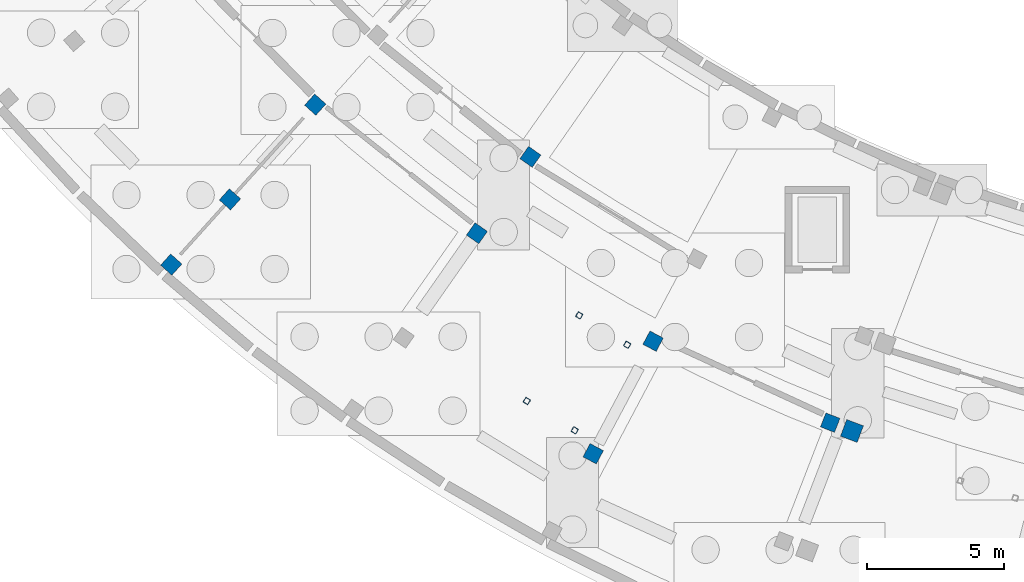
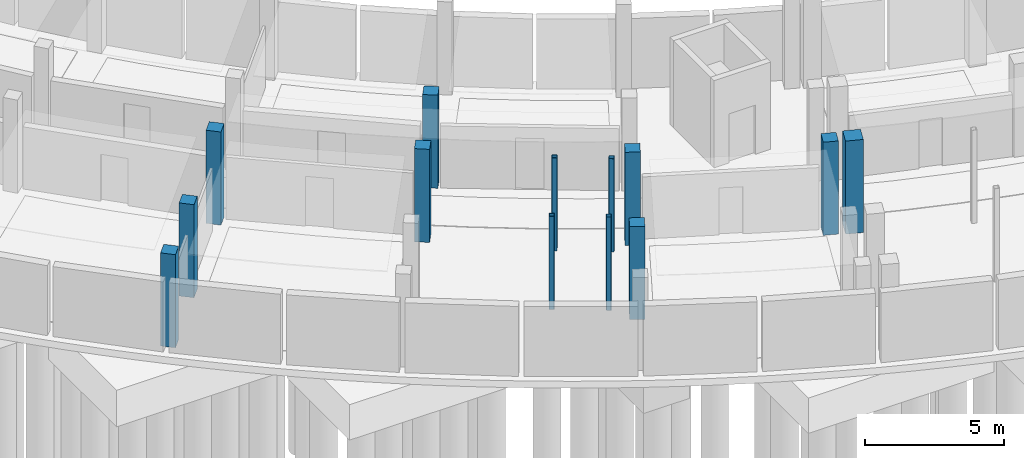
# One storey, part 13 of 58: 13 columns.
"""IFC4 building model written with IfcOpenShell, lengths in metres."""

from ifc_helpers import new_model, si_unit, direction, frame, origin, origin_2d, place, context, subcontext, project, spatial, rectangle, hollow_rectangle, extrude, material, material_profile, profile_set, type_object, element, save


model = new_model("IFC4")

# Units and contexts
model_context = context("Model", 3, precision=1e-05, world=origin(), true_north=direction((0.0, 1.0)))
body_context = subcontext(model_context, "Body", "Model", "MODEL_VIEW")
ifc_project = project(units=[si_unit("LENGTHUNIT", "METRE"), si_unit("AREAUNIT", "SQUARE_METRE"), si_unit("VOLUMEUNIT", "CUBIC_METRE"), si_unit("PLANEANGLEUNIT", "RADIAN"), si_unit("MASSUNIT", "GRAM", prefix="KILO")], contexts=[model_context])

# Site, building, storey
site_placement = place(None, origin())
site = spatial("IfcSite", under=ifc_project, at=site_placement, CompositionType="ELEMENT")
building_placement = place(site_placement, origin())
building = spatial("IfcBuilding", under=site, at=building_placement, Name="Caldaven Crescent School", CompositionType="ELEMENT")
storey_placement = place(building_placement, frame((0.0, 0.0, -4.080078125)))
storey = spatial("IfcBuildingStorey", under=building, at=storey_placement, Name="B1", CompositionType="ELEMENT", Elevation=-4.080078125)

# Columns
ifc_material_1 = material(Name="Steel ASTM A572 Grade 50", Category="steel")
ifc_material_profile_1 = material_profile(ifc_material_1, hollow_rectangle(XDim=0.199951171875, YDim=0.199951171875, WallThickness=0.010009765625, InnerFilletRadius=0.010009765625, OuterFilletRadius=0.02001953125, at=origin_2d()), Name="HSS 200x200x10")
ifc_profile_set_1 = profile_set([ifc_material_profile_1], Name="Steel ASTM A572 Grade 50")
column_type_1 = type_object("IfcColumnType", Name="COL-HS20", PredefinedType="COLUMN", material=ifc_profile_set_1)
for number, where, z_axis, x_axis, name in (
    (1, (54.428955078125, 39.341552734375, 0.0), (0.0, 0.0, 1.0), (0.852640164354, -0.522498564716, 0.0), "COL-STPOST-ST1-B1-A"),
    (2, (56.34130859375, 42.462158203125, 0.0), (0.0, 0.0, 1.0), (0.852640164354, -0.522498564716, 0.0), "COL-STPOST-ST1-B1-B"),
    (3, (56.177001953125, 38.2705078125, 0.0), (0.0, 0.0, 1.0), (0.852640164354, -0.522498564716, 0.0), "COL-STPOST-ST1-B1-C"),
    (4, (58.08935546875, 41.39111328125, 0.0), (0.0, 0.0, 1.0), (0.852640164354, -0.522498564716, 0.0), "COL-STPOST-ST1-B1-D"),
):
    element("IfcColumn", number, at=place(storey_placement, frame(where, z_axis=z_axis, x_axis=x_axis)), inside=storey, type_object=column_type_1, Name=name, PredefinedType="COLUMN", context=body_context, shape_type="SweptSolid", body=[
        extrude(hollow_rectangle(XDim=0.199951171875, YDim=0.199951171875, WallThickness=0.010009765625, InnerFilletRadius=0.010009765625, OuterFilletRadius=0.02001953125, at=origin_2d()), origin(), (0.0, 0.0, 1.0), 4.080078125),
    ])
ifc_material_2 = material(Name="Concrete C35/45", Category="concrete")
ifc_material_profile_2 = material_profile(ifc_material_2, rectangle(XDim=0.550048828125, YDim=0.550048828125, at=origin_2d()), Name="RC 550x550")
ifc_profile_set_2 = profile_set([ifc_material_profile_2], Name="Concrete C35/45")
column_type_2 = type_object("IfcColumnType", Name="COL-RC55", PredefinedType="COLUMN", material=ifc_profile_set_2)
for number, where, z_axis, x_axis, name in (
    (5, (46.714599609375, 50.14794921875, 0.0), (0.0, 0.0, 1.0), (-0.669130606359, -0.743144825477, 0.0), "COL-V4W-B1-02-2"),
    (6, (43.603271484375, 46.6923828125, 0.0), (0.0, 0.0, 1.0), (-0.669130606359, -0.743144825477, 0.0), "COL-V4W-B1-02-3"),
    (7, (41.4619140625, 44.314208984375, 0.0), (0.0, 0.0, 1.0), (-0.669130606359, -0.743144825477, 0.0), "COL-V4W-B1-02-4"),
    (8, (54.560546875, 48.243408203125, 0.0), (0.0, 0.0, 1.0), (-0.573576436351, -0.819152044289, 0.0), "COL-V4W-B1-03-1"),
    (9, (52.6103515625, 45.458251953125, 0.0), (0.0, 0.0, 1.0), (-0.573576436351, -0.819152044289, 0.0), "COL-V4W-B1-03-2"),
    (10, (59.03369140625, 41.522216796875, 0.0), (0.0, 0.0, 1.0), (-0.469471562786, -0.882947592859, 0.0), "COL-V4W-B1-04-2"),
    (11, (56.8505859375, 37.41650390625, 0.0), (0.0, 0.0, 1.0), (-0.469471562786, -0.882947592859, 0.0), "COL-V4W-B1-04-3"),
    (12, (65.49267578125, 38.5517578125, 0.0), (0.0, 0.0, 1.0), (-0.364714278886, -0.931119484694, 0.0), "COL-V4W-B1-05-2"),
):
    element("IfcColumn", number, at=place(storey_placement, frame(where, z_axis=z_axis, x_axis=x_axis)), inside=storey, type_object=column_type_2, Name=name, PredefinedType="COLUMN", context=body_context, shape_type="SweptSolid", body=[
        extrude(rectangle(XDim=0.550048828125, YDim=0.550048828125, at=origin_2d()), origin(), (0.0, 0.0, 1.0), 4.080078125),
    ])
ifc_material_profile_3 = material_profile(ifc_material_2, rectangle(XDim=0.64990234375, YDim=0.64990234375, at=origin_2d()), Name="RC 650x650")
ifc_profile_set_3 = profile_set([ifc_material_profile_3], Name="Concrete C35/45")
column_type_3 = type_object("IfcColumnType", Name="COL-RC65", PredefinedType="COLUMN", material=ifc_profile_set_3)
column_placement = place(storey_placement, frame((66.285888671875, 38.247314453125, 0.0), z_axis=(0.0, 0.0, 1.0), x_axis=(-0.352005016254, -0.93599811353, 0.0)))
element("IfcColumn", 13, at=column_placement, inside=storey, type_object=column_type_3, Name="COL-V5-B1-00-2", PredefinedType="COLUMN", context=body_context, shape_type="SweptSolid", body=[
    extrude(rectangle(XDim=0.64990234375, YDim=0.64990234375, at=origin_2d()), origin(), (0.0, 0.0, 1.0), 4.080078125),
])

save(model, "model.ifc")
